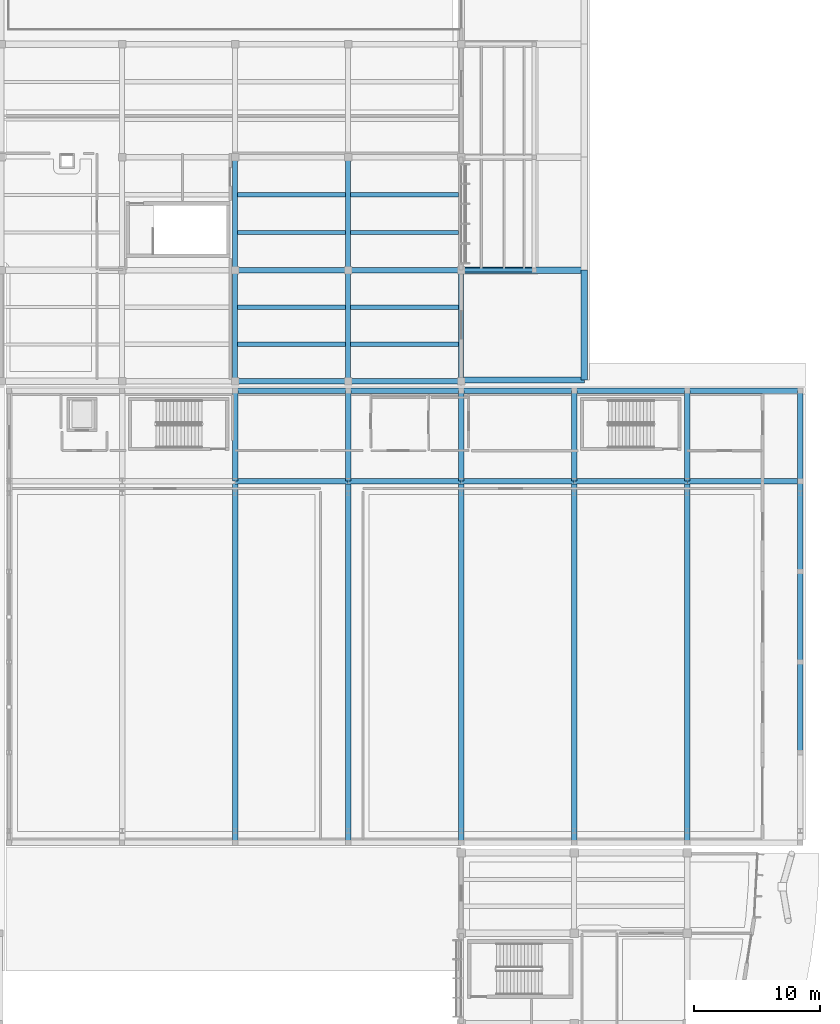
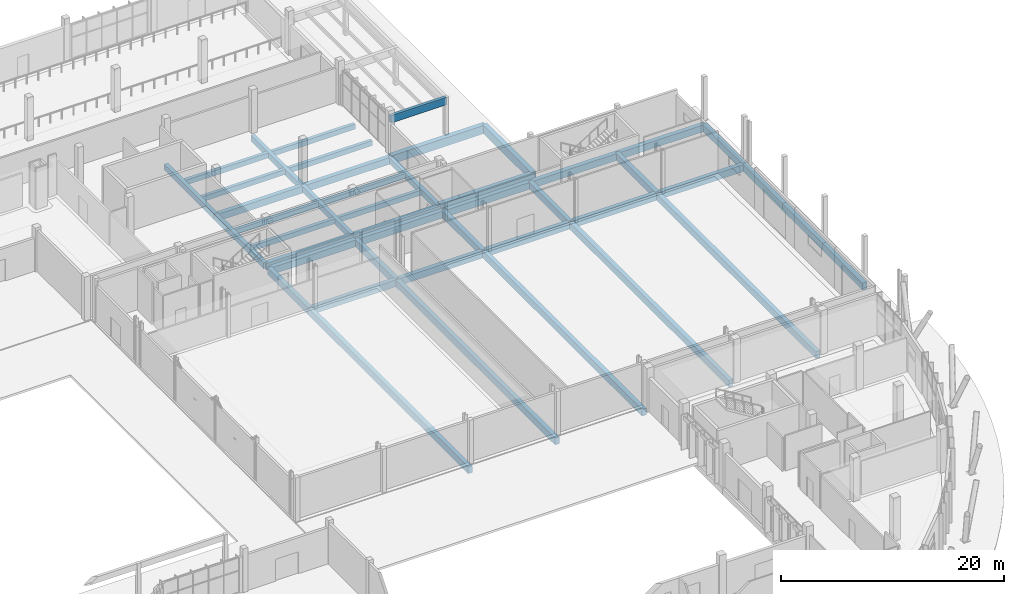
# One storey, part 87 of 151: 45 beams.
"""IFC4 building model written with IfcOpenShell, lengths in metres."""

from ifc_helpers import new_model, si_unit, direction, frame, origin, origin_2d, place, context, subcontext, project, spatial, rectangle, extrude, material, material_profile, profile_set, type_object, element, save


model = new_model("IFC4")

# Units and contexts
model_context = context("Model", 3, precision=1e-05, world=origin(), true_north=direction((0.0, 1.0)))
body_context = subcontext(model_context, "Body", "Model", "MODEL_VIEW")
ifc_project = project(units=[si_unit("LENGTHUNIT", "METRE"), si_unit("AREAUNIT", "SQUARE_METRE"), si_unit("VOLUMEUNIT", "CUBIC_METRE"), si_unit("PLANEANGLEUNIT", "RADIAN"), si_unit("MASSUNIT", "GRAM", prefix="KILO")], contexts=[model_context])

# Site, building, storey
site_placement = place(None, origin())
site = spatial("IfcSite", under=ifc_project, at=site_placement, CompositionType="ELEMENT")
building_placement = place(site_placement, origin())
building = spatial("IfcBuilding", under=site, at=building_placement, Name="Chiffa Square Polytechnic", CompositionType="ELEMENT")
storey_placement = place(building_placement, origin())
storey = spatial("IfcBuildingStorey", under=building, at=storey_placement, Name="L00", CompositionType="ELEMENT", Elevation=0.0)

# Beams
ifc_material_1 = material(Name="Concrete C35/45", Category="concrete")
ifc_material_profile_1 = material_profile(ifc_material_1, rectangle(XDim=0.39990234375, YDim=0.64990234375, at=origin_2d()), Name="RC 400x650")
ifc_profile_set_1 = profile_set([ifc_material_profile_1], Name="Concrete C35/45")
beam_type_1 = type_object("IfcBeamType", Name="BM-RC-400X650", PredefinedType="BEAM", material=ifc_profile_set_1)
beam_1_placement = place(storey_placement, frame((130.199951171875, 94.949951171875, -0.675048828125), z_axis=(0.0, 1.0, 0.0), x_axis=(-1.0, 0.0, 0.0)))
element("IfcBeam", 1, at=beam_1_placement, inside=storey, type_object=beam_type_1, Name="Primary floor girder BM-V5-L00-Y-1302-0950", PredefinedType="BEAM", context=body_context, shape_type="SweptSolid", body=[
    extrude(rectangle(XDim=0.39990234375, YDim=0.64990234375, at=origin_2d()), origin(), (0.0, 0.0, 1.0), 8.85009765625),
])
beam_2_placement = place(storey_placement, frame((130.199951171875, 103.800048828125, -0.675048828125), z_axis=(0.0, 1.0, 0.0), x_axis=(-1.0, 0.0, 0.0)))
element("IfcBeam", 2, at=beam_2_placement, inside=storey, type_object=beam_type_1, Name="Primary floor girder BM-V5-L00-Y-1302-1038", PredefinedType="BEAM", context=body_context, shape_type="SweptSolid", body=[
    extrude(rectangle(XDim=0.39990234375, YDim=0.64990234375, at=origin_2d()), origin(), (0.0, 0.0, 1.0), 9.0),
])
beam_3_placement = place(storey_placement, frame((139.199951171875, 94.949951171875, -0.675048828125), z_axis=(0.0, 1.0, 0.0), x_axis=(-1.0, 0.0, 0.0)))
element("IfcBeam", 3, at=beam_3_placement, inside=storey, type_object=beam_type_1, Name="Primary floor girder BM-V5-L00-Y-1392-0950", PredefinedType="BEAM", context=body_context, shape_type="SweptSolid", body=[
    extrude(rectangle(XDim=0.39990234375, YDim=0.64990234375, at=origin_2d()), origin(), (0.0, 0.0, 1.0), 8.85009765625),
])
beam_4_placement = place(storey_placement, frame((139.199951171875, 103.800048828125, -0.675048828125), z_axis=(0.0, 1.0, 0.0), x_axis=(-1.0, 0.0, 0.0)))
element("IfcBeam", 4, at=beam_4_placement, inside=storey, type_object=beam_type_1, Name="Primary floor girder BM-V5-L00-Y-1392-1038", PredefinedType="BEAM", context=body_context, shape_type="SweptSolid", body=[
    extrude(rectangle(XDim=0.39990234375, YDim=0.64990234375, at=origin_2d()), origin(), (0.0, 0.0, 1.0), 9.0),
])
beam_5_placement = place(storey_placement, frame((148.199951171875, 94.949951171875, -0.675048828125), z_axis=(0.0, 1.0, 0.0), x_axis=(-1.0, 0.0, 0.0)))
element("IfcBeam", 5, at=beam_5_placement, inside=storey, type_object=beam_type_1, Name="Primary floor girder BM-V5-L00-Y-1482-0950", PredefinedType="BEAM", context=body_context, shape_type="SweptSolid", body=[
    extrude(rectangle(XDim=0.39990234375, YDim=0.64990234375, at=origin_2d()), origin(), (0.0, 0.0, 1.0), 8.85009765625),
])
ifc_material_profile_2 = material_profile(ifc_material_1, rectangle(XDim=0.449951171875, YDim=0.75, at=origin_2d()), Name="RC 450x750")
ifc_profile_set_2 = profile_set([ifc_material_profile_2], Name="Concrete C35/45")
beam_type_2 = type_object("IfcBeamType", Name="BM-RC-450X750", PredefinedType="BEAM", material=ifc_profile_set_2)
for number, where, z_axis, x_axis, name in (
    (6, (130.199951171875, 94.949951171875, -0.72509765625), (1.0, 0.0, 0.0), (0.0, 1.0, 0.0), "Primary floor girder BM-V5-L00-X-1302-0950"),
    (7, (139.199951171875, 94.949951171875, -0.72509765625), (1.0, 0.0, 0.0), (0.0, 1.0, 0.0), "Primary floor girder BM-V5-L00-X-1392-0950"),
    (8, (130.199951171875, 103.800048828125, -0.72509765625), (1.0, 0.0, 0.0), (0.0, 1.0, 0.0), "Primary floor girder BM-V5-L00-X-1302-1038"),
    (9, (139.199951171875, 103.800048828125, -0.72509765625), (1.0, 0.0, 0.0), (0.0, 1.0, 0.0), "Primary floor girder BM-V5-L00-X-1392-1038"),
):
    element("IfcBeam", number, at=place(storey_placement, frame(where, z_axis=z_axis, x_axis=x_axis)), inside=storey, type_object=beam_type_2, Name=name, PredefinedType="BEAM", context=body_context, shape_type="SweptSolid", body=[
        extrude(rectangle(XDim=0.449951171875, YDim=0.75, at=origin_2d()), origin(), (0.0, 0.0, 1.0), 9.0),
    ])
ifc_material_profile_3 = material_profile(ifc_material_1, rectangle(XDim=0.449951171875, YDim=0.75, at=origin_2d()), Name="RC 450x750")
ifc_profile_set_3 = profile_set([ifc_material_profile_3], Name="Concrete C35/45")
beam_type_3 = type_object("IfcBeamType", Name="GB-RC-450X750", PredefinedType="BEAM", material=ifc_profile_set_3)
for number, where, z_axis, x_axis, name in (
    (10, (130.199951171875, 87.0, -0.77490234375), (1.0, 0.0, 0.0), (0.0, 1.0, 0.0), "Ground tie beam GB-V2-X-010"),
    (11, (139.199951171875, 87.0, -0.77490234375), (1.0, 0.0, 0.0), (0.0, 1.0, 0.0), "Ground tie beam GB-V2-X-011"),
    (12, (148.199951171875, 87.0, -0.77490234375), (1.0, 0.0, 0.0), (0.0, 1.0, 0.0), "Ground tie beam GB-V2-X-012"),
    (13, (157.199951171875, 87.0, -0.77490234375), (1.0, 0.0, 0.0), (0.0, 1.0, 0.0), "Ground tie beam GB-V2-X-013"),
    (14, (166.199951171875, 87.0, -0.77490234375), (1.0, 0.0, 0.0), (0.0, 1.0, 0.0), "Ground tie beam GB-V2-X-014"),
    (15, (130.199951171875, 94.199951171875, -0.77490234375), (1.0, 0.0, 0.0), (0.0, 1.0, 0.0), "Ground tie beam GB-V2-X-017"),
    (16, (139.199951171875, 94.199951171875, -0.77490234375), (1.0, 0.0, 0.0), (0.0, 1.0, 0.0), "Ground tie beam GB-V2-X-018"),
    (17, (148.199951171875, 94.199951171875, -0.77490234375), (1.0, 0.0, 0.0), (0.0, 1.0, 0.0), "Ground tie beam GB-V2-X-019"),
    (18, (157.199951171875, 94.199951171875, -0.77490234375), (1.0, 0.0, 0.0), (0.0, 1.0, 0.0), "Ground tie beam GB-V2-X-020"),
    (19, (166.199951171875, 94.199951171875, -0.77490234375), (1.0, 0.0, 0.0), (0.0, 1.0, 0.0), "Ground tie beam GB-V2-X-021"),
):
    element("IfcBeam", number, at=place(storey_placement, frame(where, z_axis=z_axis, x_axis=x_axis)), inside=storey, type_object=beam_type_3, Name=name, PredefinedType="BEAM", context=body_context, shape_type="SweptSolid", body=[
        extrude(rectangle(XDim=0.449951171875, YDim=0.75, at=origin_2d()), origin(), (0.0, 0.0, 1.0), 9.0),
    ])
beam_6_placement = place(storey_placement, frame((130.199951171875, 58.199951171875, -0.77490234375), z_axis=(0.0, 1.0, 0.0), x_axis=(-1.0, 0.0, 0.0)))
element("IfcBeam", 20, at=beam_6_placement, inside=storey, type_object=beam_type_3, Name="Ground tie beam GB-V2-Y-029", PredefinedType="BEAM", context=body_context, shape_type="SweptSolid", body=[
    extrude(rectangle(XDim=0.449951171875, YDim=0.75, at=origin_2d()), origin(), (0.0, 0.0, 1.0), 28.800048828125),
])
beam_7_placement = place(storey_placement, frame((130.199951171875, 87.0, -0.77490234375), z_axis=(0.0, 1.0, 0.0), x_axis=(-1.0, 0.0, 0.0)))
element("IfcBeam", 21, at=beam_7_placement, inside=storey, type_object=beam_type_3, Name="Ground tie beam GB-V2-Y-030", PredefinedType="BEAM", context=body_context, shape_type="SweptSolid", body=[
    extrude(rectangle(XDim=0.449951171875, YDim=0.75, at=origin_2d()), origin(), (0.0, 0.0, 1.0), 7.199951171875),
])
beam_8_placement = place(storey_placement, frame((139.199951171875, 58.199951171875, -0.77490234375), z_axis=(0.0, 1.0, 0.0), x_axis=(-1.0, 0.0, 0.0)))
element("IfcBeam", 22, at=beam_8_placement, inside=storey, type_object=beam_type_3, Name="Ground tie beam GB-V2-Y-031", PredefinedType="BEAM", context=body_context, shape_type="SweptSolid", body=[
    extrude(rectangle(XDim=0.449951171875, YDim=0.75, at=origin_2d()), origin(), (0.0, 0.0, 1.0), 28.800048828125),
])
beam_9_placement = place(storey_placement, frame((139.199951171875, 87.0, -0.77490234375), z_axis=(0.0, 1.0, 0.0), x_axis=(-1.0, 0.0, 0.0)))
element("IfcBeam", 23, at=beam_9_placement, inside=storey, type_object=beam_type_3, Name="Ground tie beam GB-V2-Y-032", PredefinedType="BEAM", context=body_context, shape_type="SweptSolid", body=[
    extrude(rectangle(XDim=0.449951171875, YDim=0.75, at=origin_2d()), origin(), (0.0, 0.0, 1.0), 7.199951171875),
])
beam_10_placement = place(storey_placement, frame((148.199951171875, 58.199951171875, -0.77490234375), z_axis=(0.0, 1.0, 0.0), x_axis=(-1.0, 0.0, 0.0)))
element("IfcBeam", 24, at=beam_10_placement, inside=storey, type_object=beam_type_3, Name="Ground tie beam GB-V2-Y-033", PredefinedType="BEAM", context=body_context, shape_type="SweptSolid", body=[
    extrude(rectangle(XDim=0.449951171875, YDim=0.75, at=origin_2d()), origin(), (0.0, 0.0, 1.0), 28.800048828125),
])
beam_11_placement = place(storey_placement, frame((148.199951171875, 87.0, -0.77490234375), z_axis=(0.0, 1.0, 0.0), x_axis=(-1.0, 0.0, 0.0)))
element("IfcBeam", 25, at=beam_11_placement, inside=storey, type_object=beam_type_3, Name="Ground tie beam GB-V2-Y-034", PredefinedType="BEAM", context=body_context, shape_type="SweptSolid", body=[
    extrude(rectangle(XDim=0.449951171875, YDim=0.75, at=origin_2d()), origin(), (0.0, 0.0, 1.0), 7.199951171875),
])
beam_12_placement = place(storey_placement, frame((157.199951171875, 58.199951171875, -0.77490234375), z_axis=(0.0, 1.0, 0.0), x_axis=(-1.0, 0.0, 0.0)))
element("IfcBeam", 26, at=beam_12_placement, inside=storey, type_object=beam_type_3, Name="Ground tie beam GB-V2-Y-035", PredefinedType="BEAM", context=body_context, shape_type="SweptSolid", body=[
    extrude(rectangle(XDim=0.449951171875, YDim=0.75, at=origin_2d()), origin(), (0.0, 0.0, 1.0), 28.800048828125),
])
beam_13_placement = place(storey_placement, frame((157.199951171875, 87.0, -0.77490234375), z_axis=(0.0, 1.0, 0.0), x_axis=(-1.0, 0.0, 0.0)))
element("IfcBeam", 27, at=beam_13_placement, inside=storey, type_object=beam_type_3, Name="Ground tie beam GB-V2-Y-036", PredefinedType="BEAM", context=body_context, shape_type="SweptSolid", body=[
    extrude(rectangle(XDim=0.449951171875, YDim=0.75, at=origin_2d()), origin(), (0.0, 0.0, 1.0), 7.199951171875),
])
beam_14_placement = place(storey_placement, frame((166.199951171875, 58.199951171875, -0.77490234375), z_axis=(0.0, 1.0, 0.0), x_axis=(-1.0, 0.0, 0.0)))
element("IfcBeam", 28, at=beam_14_placement, inside=storey, type_object=beam_type_3, Name="Ground tie beam GB-V2-Y-037", PredefinedType="BEAM", context=body_context, shape_type="SweptSolid", body=[
    extrude(rectangle(XDim=0.449951171875, YDim=0.75, at=origin_2d()), origin(), (0.0, 0.0, 1.0), 28.800048828125),
])
beam_15_placement = place(storey_placement, frame((166.199951171875, 87.0, -0.77490234375), z_axis=(0.0, 1.0, 0.0), x_axis=(-1.0, 0.0, 0.0)))
element("IfcBeam", 29, at=beam_15_placement, inside=storey, type_object=beam_type_3, Name="Ground tie beam GB-V2-Y-038", PredefinedType="BEAM", context=body_context, shape_type="SweptSolid", body=[
    extrude(rectangle(XDim=0.449951171875, YDim=0.75, at=origin_2d()), origin(), (0.0, 0.0, 1.0), 7.199951171875),
])
beam_16_placement = place(storey_placement, frame((175.199951171875, 65.39990234375, -0.77490234375), z_axis=(0.0, 1.0, 0.0), x_axis=(-1.0, 0.0, 0.0)))
element("IfcBeam", 30, at=beam_16_placement, inside=storey, type_object=beam_type_3, Name="Ground tie beam GB-V2-Y-040", PredefinedType="BEAM", context=body_context, shape_type="SweptSolid", body=[
    extrude(rectangle(XDim=0.449951171875, YDim=0.75, at=origin_2d()), origin(), (0.0, 0.0, 1.0), 7.2001953125),
])
for number, where, z_axis, x_axis, name in (
    (31, (175.199951171875, 72.60009765625, -0.77490234375), (0.0, 1.0, 0.0), (-1.0, 0.0, 0.0), "Ground tie beam GB-V2-Y-041"),
    (32, (175.199951171875, 79.800048828125, -0.77490234375), (0.0, 1.0, 0.0), (-1.0, 0.0, 0.0), "Ground tie beam GB-V2-Y-042"),
    (33, (175.199951171875, 87.0, -0.77490234375), (0.0, 1.0, 0.0), (-1.0, 0.0, 0.0), "Ground tie beam GB-V2-Y-043"),
):
    element("IfcBeam", number, at=place(storey_placement, frame(where, z_axis=z_axis, x_axis=x_axis)), inside=storey, type_object=beam_type_3, Name=name, PredefinedType="BEAM", context=body_context, shape_type="SweptSolid", body=[
        extrude(rectangle(XDim=0.449951171875, YDim=0.75, at=origin_2d()), origin(), (0.0, 0.0, 1.0), 7.199951171875),
    ])
ifc_material_profile_4 = material_profile(ifc_material_1, rectangle(XDim=0.5, YDim=0.89990234375, at=origin_2d()), Name="RC 500x900")
ifc_profile_set_4 = profile_set([ifc_material_profile_4], Name="Concrete C35/45")
beam_type_4 = type_object("IfcBeamType", Name="GB-RC-500X900", PredefinedType="BEAM", material=ifc_profile_set_4)
for number, where, z_axis, x_axis, name in (
    (34, (148.199951171875, 95.050048828125, -0.68994140625), (1.0, 0.0, 0.0), (0.0, 1.0, 0.0), "Ramp apron tie beam GB-RMPAPR-TIE-01"),
    (35, (148.199951171875, 103.800048828125, -0.68994140625), (1.0, 0.0, 0.0), (0.0, 1.0, 0.0), "Ramp apron tie beam GB-RMPAPR-TIE-02"),
):
    element("IfcBeam", number, at=place(storey_placement, frame(where, z_axis=z_axis, x_axis=x_axis)), inside=storey, type_object=beam_type_4, Name=name, PredefinedType="BEAM", context=body_context, shape_type="SweptSolid", body=[
        extrude(rectangle(XDim=0.5, YDim=0.89990234375, at=origin_2d()), origin(), (0.0, 0.0, 1.0), 9.800048828125),
    ])
beam_17_placement = place(storey_placement, frame((158.0, 95.050048828125, -0.68994140625), z_axis=(0.0, 1.0, 0.0), x_axis=(-1.0, 0.0, 0.0)))
element("IfcBeam", 36, at=beam_17_placement, inside=storey, type_object=beam_type_4, Name="Ramp apron edge beam GB-RMPAPR-EDGE-01", PredefinedType="BEAM", context=body_context, shape_type="SweptSolid", body=[
    extrude(rectangle(XDim=0.5, YDim=0.89990234375, at=origin_2d()), origin(), (0.0, 0.0, 1.0), 8.75),
])
ifc_material_profile_5 = material_profile(ifc_material_1, rectangle(XDim=0.35009765625, YDim=0.550048828125, at=origin_2d()), Name="RC 350x550")
ifc_profile_set_5 = profile_set([ifc_material_profile_5], Name="Concrete C35/45")
beam_type_5 = type_object("IfcBeamType", Name="JST-RC-350X550", PredefinedType="JOIST", material=ifc_profile_set_5)
for number, where, z_axis, x_axis, name in (
    (37, (130.39794921875, 97.89990234375, -0.625), (1.0, 0.0, 0.0), (0.0, 1.0, 0.0), "Secondary floor joist JST-V5-L00-1302-0979"),
    (38, (130.39794921875, 100.85009765625, -0.625), (1.0, 0.0, 0.0), (0.0, 1.0, 0.0), "Secondary floor joist JST-V5-L00-1302-1008"),
    (39, (130.39794921875, 106.800048828125, -0.625), (1.0, 0.0, 0.0), (0.0, 1.0, 0.0), "Secondary floor joist JST-V5-L00-1302-1068"),
    (40, (130.39794921875, 109.800048828125, -0.625), (1.0, 0.0, 0.0), (0.0, 1.0, 0.0), "Secondary floor joist JST-V5-L00-1302-1098"),
    (41, (139.39794921875, 97.89990234375, -0.625), (1.0, 0.0, 0.0), (0.0, 1.0, 0.0), "Secondary floor joist JST-V5-L00-1392-0979"),
    (42, (139.39794921875, 100.85009765625, -0.625), (1.0, 0.0, 0.0), (0.0, 1.0, 0.0), "Secondary floor joist JST-V5-L00-1392-1008"),
    (43, (139.39794921875, 106.800048828125, -0.625), (1.0, 0.0, 0.0), (0.0, 1.0, 0.0), "Secondary floor joist JST-V5-L00-1392-1068"),
    (44, (139.39794921875, 109.800048828125, -0.625), (1.0, 0.0, 0.0), (0.0, 1.0, 0.0), "Secondary floor joist JST-V5-L00-1392-1098"),
):
    element("IfcBeam", number, at=place(storey_placement, frame(where, z_axis=z_axis, x_axis=x_axis)), inside=storey, type_object=beam_type_5, Name=name, PredefinedType="JOIST", context=body_context, shape_type="SweptSolid", body=[
        extrude(rectangle(XDim=0.35009765625, YDim=0.550048828125, at=origin_2d()), origin(), (0.0, 0.0, 1.0), 8.60400390625),
    ])
ifc_material_2 = material(Name="Glulam GL28h", Category="wood")
ifc_material_profile_6 = material_profile(ifc_material_2, rectangle(XDim=0.320068359375, YDim=0.800048828125, at=origin_2d()), Name="GL28h 320x800")
ifc_profile_set_6 = profile_set([ifc_material_profile_6], Name="Glulam GL28h")
beam_type_6 = type_object("IfcBeamType", Name="RB-GL-320X800", PredefinedType="SPANDREL", material=ifc_profile_set_6)
beam_18_placement = place(storey_placement, frame((148.199951171875, 103.800048828125, 3.699951171875), z_axis=(1.0, 0.0, 0.0), x_axis=(0.0, 1.0, 0.0)))
element("IfcBeam", 45, at=beam_18_placement, inside=storey, type_object=beam_type_6, Name="NE entrance canopy tie beam RB-NEC-TIE-01", PredefinedType="SPANDREL", context=body_context, shape_type="SweptSolid", body=[
    extrude(rectangle(XDim=0.320068359375, YDim=0.800048828125, at=origin_2d()), origin(), (0.0, 0.0, 1.0), 5.800048828125),
])

save(model, "model.ifc")
